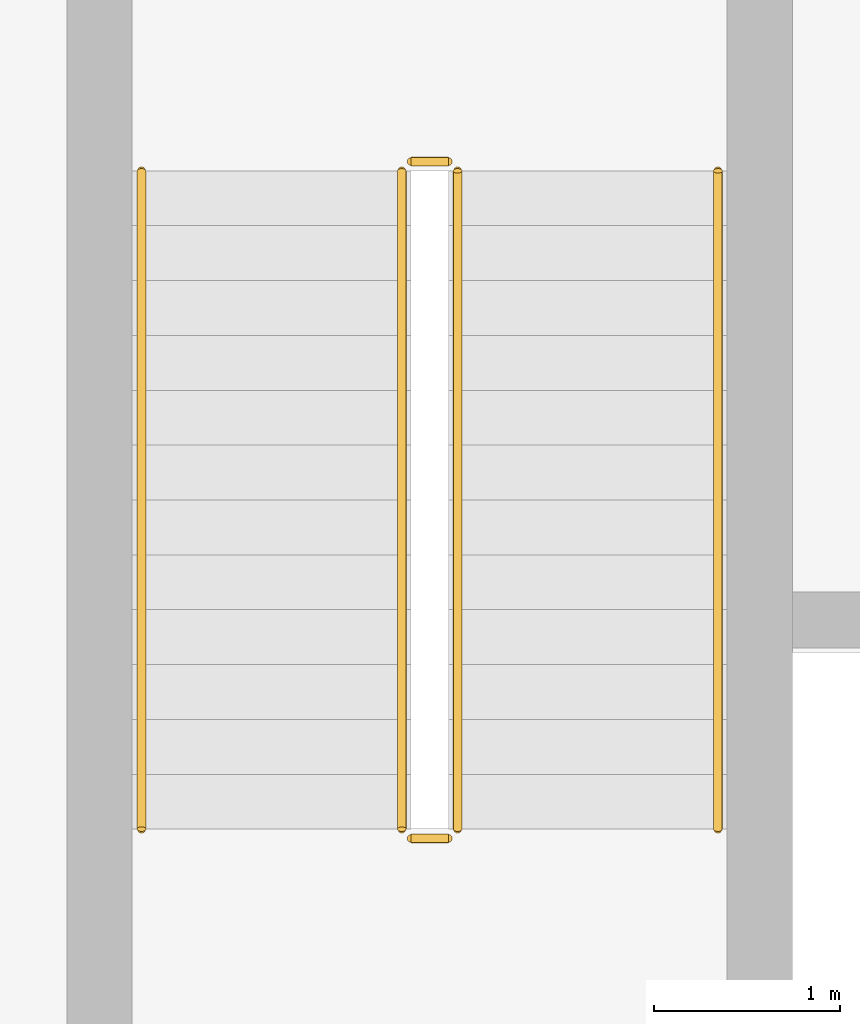
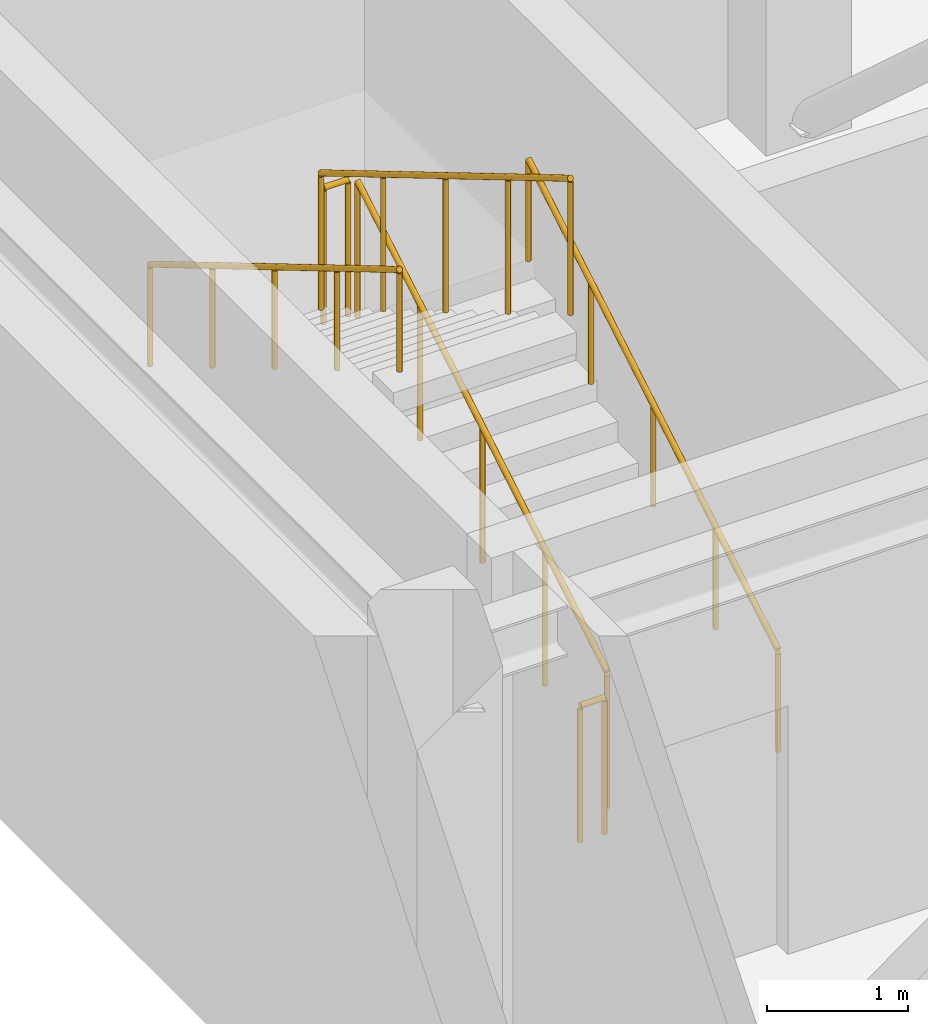
# One storey, part 26 of 32: 6 railings.
"""IFC4 building model written with IfcOpenShell, lengths in metres."""

from ifc_helpers import new_model, si_unit, direction, frame, origin, origin_2d, place, context, subcontext, project, spatial, circle, extrude, material, layer, layer_set, type_object, element, save


model = new_model("IFC4")

# Units and contexts
model_context = context("Model", 3, precision=1e-05, world=origin(), true_north=direction((0.0, 1.0)))
body_context = subcontext(model_context, "Body", "Model", "MODEL_VIEW")
ifc_project = project(units=[si_unit("LENGTHUNIT", "METRE"), si_unit("AREAUNIT", "SQUARE_METRE"), si_unit("VOLUMEUNIT", "CUBIC_METRE"), si_unit("PLANEANGLEUNIT", "RADIAN"), si_unit("MASSUNIT", "GRAM", prefix="KILO")], contexts=[model_context])

# Site, building, storey
site_placement = place(None, origin())
site = spatial("IfcSite", under=ifc_project, at=site_placement, CompositionType="ELEMENT")
building_placement = place(site_placement, origin())
building = spatial("IfcBuilding", under=site, at=building_placement, Name="Nordkorset Police Headquarters", CompositionType="ELEMENT")
storey_placement = place(building_placement, frame((0.0, 0.0, -4.550048828125)))
storey = spatial("IfcBuildingStorey", under=building, at=storey_placement, Name="B01", CompositionType="ELEMENT", Elevation=-4.550048828125)

# Railings
ifc_material_1 = material(Name="Steel S355J2", Category="steel")
ifc_layer_1 = layer(ifc_material_1, 0.048095703125, Name="Steel S355J2")
ifc_layer_set_1 = layer_set([ifc_layer_1], Name="Steel S355J2")
railing_type_1 = type_object("IfcRailingType", Name="Railing_Handrail_900", PredefinedType="HANDRAIL", material=ifc_layer_set_1)
railing_1_placement = place(storey_placement, frame((4.324951171875, 41.02490234375, 0.175048828125)))
element("IfcRailing", 1, at=railing_1_placement, inside=storey, type_object=railing_type_1, Name="B01 ST-04 stair handrail 1", PredefinedType="HANDRAIL", context=body_context, shape_type="SweptSolid", body=[
    extrude(circle(Radius=0.02392578125, at=origin_2d()), frame((0.0, 0.0, 0.8759765625), z_axis=(0.0, 0.860046713364, 0.510215298508), x_axis=(-1.0, 0.0, 0.0)), (0.0, 0.0, 1.0), 4.1162109375),
    extrude(circle(Radius=0.02099609375, at=origin_2d()), origin(), (0.0, 0.0, 1.0), 0.851806640625),
    extrude(circle(Radius=0.02099609375, at=origin_2d()), frame((0.0, 0.885009765625, 0.52490234375)), (0.0, 0.0, 1.0), 0.851806640625),
    extrude(circle(Radius=0.02099609375, at=origin_2d()), frame((0.0, 1.77001953125, 1.050048828125)), (0.0, 0.0, 1.0), 0.851806640625),
    extrude(circle(Radius=0.02099609375, at=origin_2d()), frame((0.0, 2.655029296875, 1.5751953125)), (0.0, 0.0, 1.0), 0.851806640625),
    extrude(circle(Radius=0.02099609375, at=origin_2d()), frame((0.0, 3.5400390625, 2.10009765625)), (0.0, 0.0, 1.0), 0.851806640625),
])
railing_2_placement = place(storey_placement, frame((1.22509765625, 44.56494140625, 2.449951171875)))
element("IfcRailing", 2, at=railing_2_placement, inside=storey, type_object=railing_type_1, Name="B01 ST-04 stair handrail 2", PredefinedType="HANDRAIL", context=body_context, shape_type="SweptSolid", body=[
    extrude(circle(Radius=0.02392578125, at=origin_2d()), frame((0.0, 0.0, 0.8759765625), z_axis=(0.0, -0.860046713364, 0.510215298508), x_axis=(1.0, 0.0, 0.0)), (0.0, 0.0, 1.0), 4.1162109375),
    extrude(circle(Radius=0.02099609375, at=origin_2d()), origin(), (0.0, 0.0, 1.0), 0.851806640625),
    extrude(circle(Radius=0.02099609375, at=origin_2d()), frame((0.0, -0.885009765625, 0.52490234375)), (0.0, 0.0, 1.0), 0.851806640625),
    extrude(circle(Radius=0.02099609375, at=origin_2d()), frame((0.0, -1.77001953125, 1.050048828125)), (0.0, 0.0, 1.0), 0.851806640625),
    extrude(circle(Radius=0.02099609375, at=origin_2d()), frame((0.0, -2.655029296875, 1.5751953125)), (0.0, 0.0, 1.0), 0.851806640625),
    extrude(circle(Radius=0.02099609375, at=origin_2d()), frame((0.0, -3.5400390625, 2.10009765625)), (0.0, 0.0, 1.0), 0.851806640625),
])
ifc_material_2 = material(Name="Steel S355J2", Category="steel")
ifc_layer_2 = layer(ifc_material_2, 0.050048828125, Name="Steel S355J2")
ifc_layer_set_2 = layer_set([ifc_layer_2], Name="Steel S355J2")
railing_type_2 = type_object("IfcRailingType", Name="Railing_StairGuard_1200", PredefinedType="GUARDRAIL", material=ifc_layer_set_2)
railing_3_placement = place(storey_placement, frame((2.925048828125, 41.02490234375, 0.175048828125)))
element("IfcRailing", 3, at=railing_3_placement, inside=storey, type_object=railing_type_2, Name="B01 ST-04 stair guard 1", PredefinedType="GUARDRAIL", context=body_context, shape_type="SweptSolid", body=[
    extrude(circle(Radius=0.02392578125, at=origin_2d()), frame((0.0, 0.0, 1.17578125), z_axis=(0.0, 0.860046713364, 0.510215298508), x_axis=(-1.0, 0.0, 0.0)), (0.0, 0.0, 1.0), 4.1162109375),
    extrude(circle(Radius=0.02099609375, at=origin_2d()), origin(), (0.0, 0.0, 1.0), 1.15185546875),
    extrude(circle(Radius=0.02099609375, at=origin_2d()), frame((0.0, 0.885009765625, 0.52490234375)), (0.0, 0.0, 1.0), 1.15185546875),
    extrude(circle(Radius=0.02099609375, at=origin_2d()), frame((0.0, 1.77001953125, 1.050048828125)), (0.0, 0.0, 1.0), 1.15185546875),
    extrude(circle(Radius=0.02099609375, at=origin_2d()), frame((0.0, 2.655029296875, 1.5751953125)), (0.0, 0.0, 1.0), 1.15185546875),
    extrude(circle(Radius=0.02099609375, at=origin_2d()), frame((0.0, 3.5400390625, 2.10009765625)), (0.0, 0.0, 1.0), 1.15185546875),
])
railing_4_placement = place(storey_placement, frame((2.875, 44.614990234375, 2.275146484375)))
element("IfcRailing", 4, at=railing_4_placement, inside=storey, type_object=railing_type_2, Name="B01 ST-04 stair guard 2", PredefinedType="GUARDRAIL", context=body_context, shape_type="SweptSolid", body=[
    extrude(circle(Radius=0.02392578125, at=origin_2d()), frame((0.0, 0.0, 1.17578125), z_axis=(-1.0, 0.0, 0.0), x_axis=(0.0, -1.0, 0.0)), (0.0, 0.0, 1.0), 0.199951171875),
    extrude(circle(Radius=0.02099609375, at=origin_2d()), origin(), (0.0, 0.0, 1.0), 1.15185546875),
    extrude(circle(Radius=0.02099609375, at=origin_2d()), frame((-0.199951171875, 0.0, 0.0)), (0.0, 0.0, 1.0), 1.15185546875),
])
railing_5_placement = place(storey_placement, frame((2.625, 44.56494140625, 2.449951171875)))
element("IfcRailing", 5, at=railing_5_placement, inside=storey, type_object=railing_type_2, Name="B01 ST-04 stair guard 3", PredefinedType="GUARDRAIL", context=body_context, shape_type="SweptSolid", body=[
    extrude(circle(Radius=0.02392578125, at=origin_2d()), frame((0.0, 0.0, 1.17578125), z_axis=(0.0, -0.860046713364, 0.510215298508), x_axis=(1.0, 0.0, 0.0)), (0.0, 0.0, 1.0), 4.1162109375),
    extrude(circle(Radius=0.02099609375, at=origin_2d()), origin(), (0.0, 0.0, 1.0), 1.15185546875),
    extrude(circle(Radius=0.02099609375, at=origin_2d()), frame((0.0, -0.885009765625, 0.52490234375)), (0.0, 0.0, 1.0), 1.15185546875),
    extrude(circle(Radius=0.02099609375, at=origin_2d()), frame((0.0, -1.77001953125, 1.050048828125)), (0.0, 0.0, 1.0), 1.15185546875),
    extrude(circle(Radius=0.02099609375, at=origin_2d()), frame((0.0, -2.655029296875, 1.5751953125)), (0.0, 0.0, 1.0), 1.15185546875),
    extrude(circle(Radius=0.02099609375, at=origin_2d()), frame((0.0, -3.5400390625, 2.10009765625)), (0.0, 0.0, 1.0), 1.15185546875),
])
railing_6_placement = place(storey_placement, frame((2.875, 40.97509765625, 0.0)))
element("IfcRailing", 6, at=railing_6_placement, inside=storey, type_object=railing_type_2, Name="B01 ST-04 stair guard 4", PredefinedType="GUARDRAIL", context=body_context, shape_type="SweptSolid", body=[
    extrude(circle(Radius=0.02392578125, at=origin_2d()), frame((0.0, 0.0, 1.17578125), z_axis=(-1.0, 0.0, 0.0), x_axis=(0.0, -1.0, 0.0)), (0.0, 0.0, 1.0), 0.199951171875),
    extrude(circle(Radius=0.02099609375, at=origin_2d()), origin(), (0.0, 0.0, 1.0), 1.15185546875),
    extrude(circle(Radius=0.02099609375, at=origin_2d()), frame((-0.199951171875, 0.0, 0.0)), (0.0, 0.0, 1.0), 1.15185546875),
])

save(model, "model.ifc")
